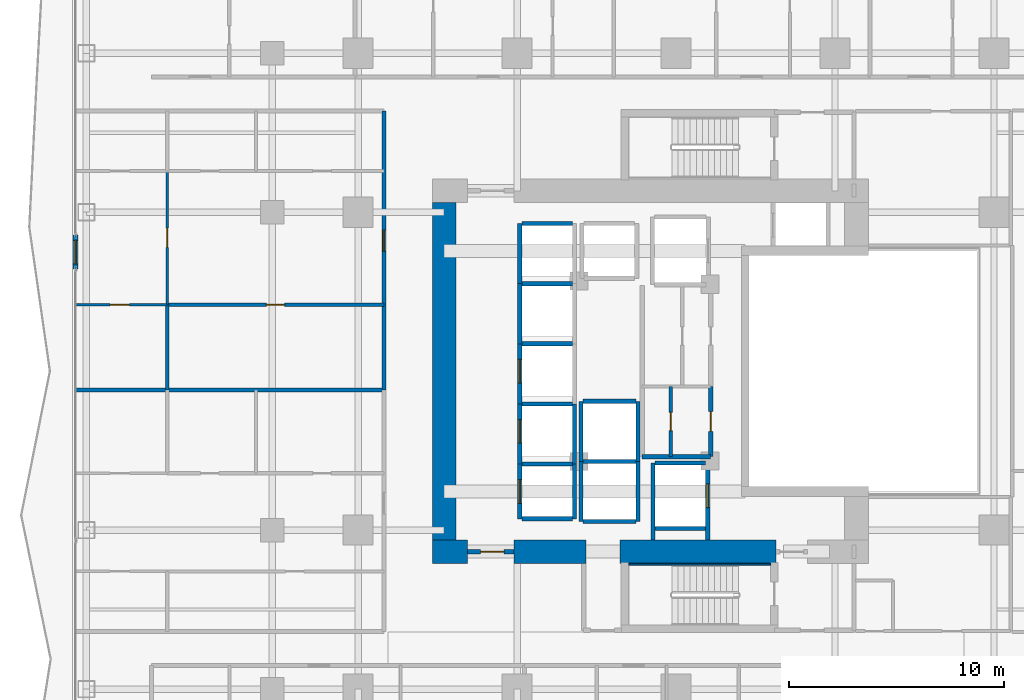
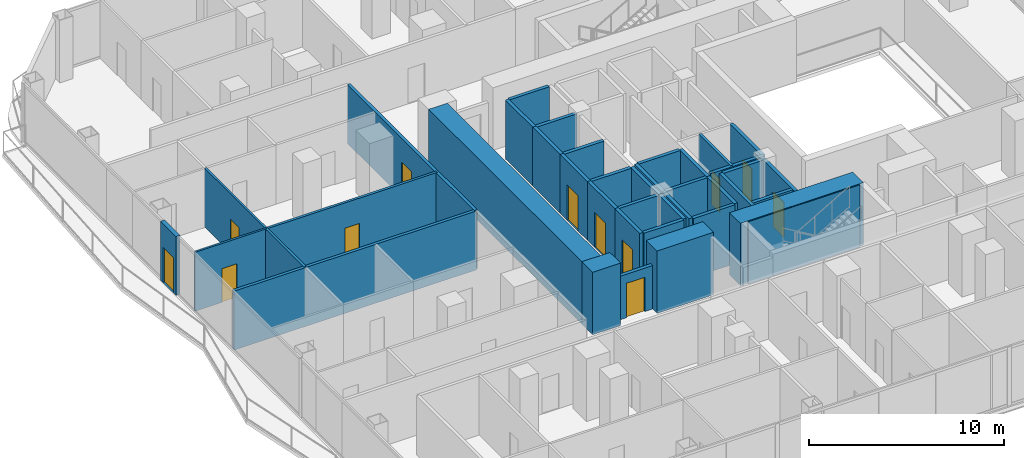
# One storey, part 20 of 29: 40 walls, 12 doors, 12 openings.
"""IFC4 building model written with IfcOpenShell, lengths in metres."""

from ifc_helpers import new_model, si_unit, direction, frame, frame_2d, origin, place, context, subcontext, project, spatial, rectangle, extrude, material, layer, layer_set, type_object, element, fill, save


model = new_model("IFC4")

# Units and contexts
model_context = context("Model", 3, precision=1e-05, world=origin(), true_north=direction((0.0, 1.0)))
body_context = subcontext(model_context, "Body", "Model", "MODEL_VIEW")
ifc_project = project(units=[si_unit("LENGTHUNIT", "METRE"), si_unit("AREAUNIT", "SQUARE_METRE"), si_unit("VOLUMEUNIT", "CUBIC_METRE"), si_unit("PLANEANGLEUNIT", "RADIAN"), si_unit("MASSUNIT", "GRAM", prefix="KILO")], contexts=[model_context])

# Site, building, storey
site_placement = place(None, origin())
site = spatial("IfcSite", under=ifc_project, at=site_placement, CompositionType="ELEMENT")
building_placement = place(site_placement, origin())
building = spatial("IfcBuilding", under=site, at=building_placement, Name="Khorvyn Point Tower", CompositionType="ELEMENT")
storey_placement = place(building_placement, frame((0.0, 0.0, 69.60009765625)))
storey = spatial("IfcBuildingStorey", under=building, at=storey_placement, Name="L18", CompositionType="ELEMENT", Elevation=69.60009765625)

# Wall, opening, door
ifc_material_1 = material(Name="Double acoustic gypsum on twin steel stud", Category="steel")
ifc_layer_1 = layer(ifc_material_1, 0.179931640625)
ifc_layer_set_1 = layer_set([ifc_layer_1], Name="Acoustic Double-Stud Apartment Demising Wall 180")
wall_type_1 = type_object("IfcWallType", Name="Acoustic Double-Stud Apartment Demising Wall 180", PredefinedType="PARTITIONING", material=ifc_layer_set_1)
wall_1_placement = place(storey_placement, frame((-13.60009765625, -0.873046875, 0.0), z_axis=(0.0, 0.0, 1.0), x_axis=(0.0, 1.0, 0.0)))
wall_1 = element("IfcWall", 1, at=wall_1_placement, inside=storey, type_object=wall_type_1, Name="Wall", PredefinedType="PARTITIONING", context=body_context, shape_type="SweptSolid", body=[
    extrude(rectangle(XDim=12.9931640625, YDim=0.179931640625, at=frame_2d((6.49658203125, 0.0))), origin(), (0.0, 0.0, 1.0), 3.679931640625),
])
opening_1_placement = place(wall_1_placement, frame((6.445556640625, 0.0, 0.0)))
opening_1 = element("IfcOpeningElement", 2, at=opening_1_placement, cuts=wall_1, Name="Opening ID-AP60", PredefinedType="OPENING", context=body_context, shape_type="SweptSolid", body=[
    extrude(rectangle(XDim=1.0, YDim=2.199951171875, at=frame_2d((0.5, 1.10009765625))), frame((0.0, 0.099853515625, 0.0), z_axis=(0.0, -1.0, 0.0), x_axis=(1.0, 0.0, 0.0)), (0.0, 0.0, 1.0), 0.199951171875),
])
ifc_material_2 = material(Name="Engineered hardwood fire-rated leaf", Category="wood")
door_type_1 = type_object("IfcDoorType", Name="Acoustic Solid-Core Timber Apartment Entrance Door 1000x2200", OperationType="NOTDEFINED", PredefinedType="DOOR", material=ifc_material_2)
door_1_placement = place(opening_1_placement, origin())
door_1 = element("IfcDoor", 3, at=door_1_placement, inside=storey, type_object=door_type_1, Name="Door", OperationType="SINGLE_SWING_RIGHT", OverallHeight=2.199951171875, OverallWidth=1.0, PredefinedType="DOOR", context=body_context, shape_type="SweptSolid", body=[
    extrude(rectangle(XDim=1.0, YDim=2.199951171875, at=frame_2d((0.5, 1.10009765625))), frame((0.0, 0.02490234375, 0.0), z_axis=(0.0, -1.0, 0.0), x_axis=(1.0, 0.0, 0.0)), (0.0, 0.0, 1.0), 0.050048828125),
])
fill(opening_1, door_1)

# Wall
wall_2_placement = place(storey_placement, frame((-27.929931640625, -0.873046875, 0.0), z_axis=(0.0, 0.0, 1.0), x_axis=(1.0, 0.0, 0.0)))
element("IfcWall", 4, at=wall_2_placement, inside=storey, type_object=wall_type_1, Name="Wall", PredefinedType="PARTITIONING", context=body_context, shape_type="SweptSolid", body=[
    extrude(rectangle(XDim=14.329833984375, YDim=0.179931640625, at=frame_2d((7.1650390625, 0.0))), origin(), (0.0, 0.0, 1.0), 3.679931640625),
])

# Wall, opening, door
ifc_material_3 = material(Name="Pale anodised aluminium rainscreen on steel stud", Category="steel")
ifc_layer_2 = layer(ifc_material_3, 0.239990234375)
ifc_layer_set_2 = layer_set([ifc_layer_2], Name="Anodised Aluminium Insulated Corner Spandrel Wall 240")
wall_type_2 = type_object("IfcWallType", Name="Anodised Aluminium Insulated Corner Spandrel Wall 240", PredefinedType="SOLIDWALL", material=ifc_layer_set_2)
wall_3_placement = place(storey_placement, frame((-27.949951171875, 4.7490234375, 0.0), z_axis=(0.0, 0.0, 1.0), x_axis=(0.0, 1.0, 0.0)))
wall_3 = element("IfcWall", 5, at=wall_3_placement, inside=storey, type_object=wall_type_2, Name="L18 West Outdoor Threshold Wall", PredefinedType="SOLIDWALL", context=body_context, shape_type="SweptSolid", body=[
    extrude(rectangle(XDim=1.580078125, YDim=0.239990234375, at=frame_2d((0.7900390625, 0.0))), origin(), (0.0, 0.0, 1.0), 3.679931640625),
])
opening_2_placement = place(wall_3_placement, frame((0.239990234375, 0.0, 0.0)))
opening_2 = element("IfcOpeningElement", 6, at=opening_2_placement, cuts=wall_3, Name="Opening BD-1122", PredefinedType="OPENING", context=body_context, shape_type="SweptSolid", body=[
    extrude(rectangle(XDim=1.10009765625, YDim=2.199951171875, at=frame_2d((0.550048828125, 1.10009765625))), frame((0.0, 0.1298828125, 0.0), z_axis=(0.0, -1.0, 0.0), x_axis=(1.0, 0.0, 0.0)), (0.0, 0.0, 1.0), 0.260009765625),
])
ifc_material_4 = material(Name="Anodised aluminium 6063-T6 and laminated Low-E glass", Category="aluminium")
door_type_2 = type_object("IfcDoorType", Name="Glazed Balcony and Terrace Threshold Door 1100x2200", OperationType="NOTDEFINED", PredefinedType="DOOR", material=ifc_material_4)
door_2_placement = place(opening_2_placement, origin())
door_2 = element("IfcDoor", 7, at=door_2_placement, inside=storey, type_object=door_type_2, Name="L18 West Glazed Balcony Outdoor Door", OperationType="SINGLE_SWING_RIGHT", OverallHeight=2.199951171875, OverallWidth=1.10009765625, PredefinedType="DOOR", context=body_context, shape_type="SweptSolid", body=[
    extrude(rectangle(XDim=1.10009765625, YDim=2.199951171875, at=frame_2d((0.550048828125, 1.10009765625))), frame((0.0, 0.02490234375, 0.0), z_axis=(0.0, -1.0, 0.0), x_axis=(1.0, 0.0, 0.0)), (0.0, 0.0, 1.0), 0.050048828125),
])
fill(opening_2, door_2)

ifc_material_5 = material(Name="Concrete C40/50", Category="concrete")
ifc_layer_3 = layer(ifc_material_5, 0.199951171875)
ifc_layer_set_3 = layer_set([ifc_layer_3], Name="Concrete C40/50 Fire-Lobby Compartment Wall 200")
wall_type_3 = type_object("IfcWallType", Name="Concrete C40/50 Fire-Lobby Compartment Wall 200", PredefinedType="SOLIDWALL", material=ifc_layer_set_3)
wall_4_placement = place(storey_placement, frame((-9.699951171875, -8.39990234375, 0.0), z_axis=(0.0, 0.0, 1.0), x_axis=(1.0, 0.0, 0.0)))
wall_4 = element("IfcWall", 8, at=wall_4_placement, inside=storey, type_object=wall_type_3, Name="Wall", PredefinedType="SOLIDWALL", context=body_context, shape_type="SweptSolid", body=[
    extrude(rectangle(XDim=2.14990234375, YDim=0.199951171875, at=frame_2d((1.074951171875, 0.0))), origin(), (0.0, 0.0, 1.0), 2.719970703125),
])
opening_3_placement = place(wall_4_placement, frame((0.597900390625, 0.0, 0.0)))
opening_3 = element("IfcOpeningElement", 9, at=opening_3_placement, cuts=wall_4, Name="Opening ID-FL90", PredefinedType="OPENING", context=body_context, shape_type="SweptSolid", body=[
    extrude(rectangle(XDim=1.10009765625, YDim=2.14990234375, at=frame_2d((0.550048828125, 1.074951171875))), frame((0.0, 0.10986328125, 0.0), z_axis=(0.0, -1.0, 0.0), x_axis=(1.0, 0.0, 0.0)), (0.0, 0.0, 1.0), 0.219970703125),
])
ifc_material_6 = material(Name="Galvanised powder-coated steel", Category="steel")
door_type_3 = type_object("IfcDoorType", Name="Fire-Rated Steel Lobby and Stair Door 1100x2150", OperationType="NOTDEFINED", PredefinedType="DOOR", material=ifc_material_6)
door_3_placement = place(opening_3_placement, origin())
door_3 = element("IfcDoor", 10, at=door_3_placement, inside=storey, type_object=door_type_3, Name="Door", OperationType="SINGLE_SWING_RIGHT", OverallHeight=2.14990234375, OverallWidth=1.10009765625, PredefinedType="DOOR", context=body_context, shape_type="SweptSolid", body=[
    extrude(rectangle(XDim=1.10009765625, YDim=2.14990234375, at=frame_2d((0.550048828125, 1.074951171875))), frame((0.0, 0.02490234375, 0.0), z_axis=(0.0, -1.0, 0.0), x_axis=(1.0, 0.0, 0.0)), (0.0, 0.0, 1.0), 0.050048828125),
])
fill(opening_3, door_3)

wall_5_placement = place(storey_placement, frame((1.610107421875, -3.97998046875, 0.0), z_axis=(0.0, 0.0, 1.0), x_axis=(0.0, 1.0, 0.0)))
wall_5 = element("IfcWall", 11, at=wall_5_placement, inside=storey, type_object=wall_type_3, Name="Wall", PredefinedType="SOLIDWALL", context=body_context, shape_type="SweptSolid", body=[
    extrude(rectangle(XDim=3.27392578125, YDim=0.199951171875, at=frame_2d((1.636962890625, 0.0))), origin(), (0.0, 0.0, 1.0), 3.679931640625),
])
opening_4_placement = place(wall_5_placement, frame((1.177001953125, 0.0, 0.0)))
opening_4 = element("IfcOpeningElement", 12, at=opening_4_placement, cuts=wall_5, Name="Opening ID-RS60", PredefinedType="OPENING", context=body_context, shape_type="SweptSolid", body=[
    extrude(rectangle(XDim=0.919921875, YDim=2.10009765625, at=frame_2d((0.4599609375, 1.050048828125))), frame((0.0, 0.10986328125, 0.0), z_axis=(0.0, -1.0, 0.0), x_axis=(1.0, 0.0, 0.0)), (0.0, 0.0, 1.0), 0.219970703125),
])
door_type_4 = type_object("IfcDoorType", Name="Fire-Rated Riser and Store Steel Door 920x2100", OperationType="NOTDEFINED", PredefinedType="DOOR", material=ifc_material_6)
door_4_placement = place(opening_4_placement, origin())
door_4 = element("IfcDoor", 13, at=door_4_placement, inside=storey, type_object=door_type_4, Name="Door", OperationType="SINGLE_SWING_LEFT", OverallHeight=2.10009765625, OverallWidth=0.919921875, PredefinedType="DOOR", context=body_context, shape_type="SweptSolid", body=[
    extrude(rectangle(XDim=0.919921875, YDim=2.10009765625, at=frame_2d((0.4599609375, 1.050048828125))), frame((0.0, 0.02490234375, 0.0), z_axis=(0.0, -1.0, 0.0), x_axis=(1.0, 0.0, 0.0)), (0.0, 0.0, 1.0), 0.050048828125),
])
fill(opening_4, door_4)

# Walls
wall_6_placement = place(storey_placement, frame((-1.580078125, -3.97998046875, 0.0), z_axis=(0.0, 0.0, 1.0), x_axis=(1.0, 0.0, 0.0)))
element("IfcWall", 14, at=wall_6_placement, inside=storey, type_object=wall_type_3, Name="Wall", PredefinedType="SOLIDWALL", context=body_context, shape_type="SweptSolid", body=[
    extrude(rectangle(XDim=3.190185546875, YDim=0.199951171875, at=frame_2d((1.59521484375, 0.0))), origin(), (0.0, 0.0, 1.0), 3.679931640625),
])
ifc_layer_4 = layer(ifc_material_5, 0.25)
ifc_layer_set_4 = layer_set([ifc_layer_4], Name="Concrete C40/50 Stair Inner Cheek Structural Wall 250")
wall_type_4 = type_object("IfcWallType", Name="Concrete C40/50 Stair Inner Cheek Structural Wall 250", PredefinedType="SHEAR", material=ifc_layer_set_4)
wall_7_placement = place(storey_placement, frame((-2.199951171875, -8.987548828125, 0.0), z_axis=(0.0, 0.0, 1.0), x_axis=(1.0, 0.0, 0.0)))
element("IfcWall", 15, at=wall_7_placement, inside=storey, type_object=wall_type_4, Name="Wall", PredefinedType="SHEAR", context=body_context, shape_type="SweptSolid", body=[
    extrude(rectangle(XDim=6.599853515625, YDim=0.074951171875, at=frame_2d((3.2998046875, 0.0))), origin(), (0.0, 0.0, 1.0), 3.89990234375),
])

# Wall, opening, door
ifc_layer_5 = layer(ifc_material_5, 0.199951171875)
ifc_layer_set_5 = layer_set([ifc_layer_5], Name="Concrete C40/50 Structural Hoistway and Stair Shaft Wall 200")
wall_type_5 = type_object("IfcWallType", Name="Concrete C40/50 Structural Hoistway and Stair Shaft Wall 200", PredefinedType="SHEAR", material=ifc_layer_set_5)
wall_8_placement = place(storey_placement, frame((-7.27490234375, -6.875, 0.0), z_axis=(0.0, 0.0, 1.0), x_axis=(0.0, 1.0, 0.0)))
wall_8 = element("IfcWall", 16, at=wall_8_placement, inside=storey, type_object=wall_type_5, Name="Wall", PredefinedType="SHEAR", context=body_context, shape_type="SweptSolid", body=[
    extrude(rectangle(XDim=2.550048828125, YDim=0.199951171875, at=frame_2d((1.27490234375, 0.0))), origin(), (0.0, 0.0, 1.0), 3.679931640625),
])
opening_5_placement = place(wall_8_placement, frame((0.72509765625, 0.0, 0.0)))
opening_5 = element("IfcOpeningElement", 17, at=opening_5_placement, cuts=wall_8, Name="Opening LD-1122", PredefinedType="OPENING", context=body_context, shape_type="SweptSolid", body=[
    extrude(rectangle(XDim=1.10009765625, YDim=2.199951171875, at=frame_2d((0.550048828125, 1.10009765625))), frame((0.0, 0.10986328125, 0.0), z_axis=(0.0, -1.0, 0.0), x_axis=(1.0, 0.0, 0.0)), (0.0, 0.0, 1.0), 0.219970703125),
])
ifc_material_7 = material(Name="Stainless steel 1.4301", Category="steel")
door_type_5 = type_object("IfcDoorType", Name="Stainless Steel Automatic Sliding Lift Landing Door 1100x2200", OperationType="SLIDING_TO_LEFT", PredefinedType="DOOR", material=ifc_material_7)
door_5_placement = place(opening_5_placement, origin())
door_5 = element("IfcDoor", 18, at=door_5_placement, inside=storey, type_object=door_type_5, Name="L18 RL-01 Sliding Lift Landing Door", OperationType="SLIDING_TO_LEFT", OverallHeight=2.199951171875, OverallWidth=1.10009765625, PredefinedType="DOOR", context=body_context, shape_type="SweptSolid", body=[
    extrude(rectangle(XDim=1.10009765625, YDim=2.199951171875, at=frame_2d((0.550048828125, 1.10009765625))), frame((0.0, 0.02490234375, 0.0), z_axis=(0.0, -1.0, 0.0), x_axis=(1.0, 0.0, 0.0)), (0.0, 0.0, 1.0), 0.050048828125),
])
fill(opening_5, door_5)

# Walls
wall_9_placement = place(storey_placement, frame((-4.72509765625, -6.875, 0.0), z_axis=(0.0, 0.0, 1.0), x_axis=(0.0, 1.0, 0.0)))
element("IfcWall", 19, at=wall_9_placement, inside=storey, type_object=wall_type_5, Name="Wall", PredefinedType="SHEAR", context=body_context, shape_type="SweptSolid", body=[
    extrude(rectangle(XDim=2.550048828125, YDim=0.199951171875, at=frame_2d((1.27490234375, 0.0))), origin(), (0.0, 0.0, 1.0), 3.679931640625),
])
for number, where, z_axis, x_axis, name in (
    (20, (-7.175048828125, -6.875, 0.0), (0.0, 0.0, 1.0), (1.0, 0.0, 0.0), "Wall"),
    (21, (-7.175048828125, -4.324951171875, 0.0), (0.0, 0.0, 1.0), (1.0, 0.0, 0.0), "Wall"),
):
    element("IfcWall", number, at=place(storey_placement, frame(where, z_axis=z_axis, x_axis=x_axis)), inside=storey, type_object=wall_type_5, Name=name, PredefinedType="SHEAR", context=body_context, shape_type="SweptSolid", body=[
        extrude(rectangle(XDim=2.35009765625, YDim=0.199951171875, at=frame_2d((1.175048828125, 0.0))), origin(), (0.0, 0.0, 1.0), 3.679931640625),
    ])

# Wall, opening, door
wall_10_placement = place(storey_placement, frame((-7.27490234375, -4.324951171875, 0.0), z_axis=(0.0, 0.0, 1.0), x_axis=(0.0, 1.0, 0.0)))
wall_10 = element("IfcWall", 22, at=wall_10_placement, inside=storey, type_object=wall_type_5, Name="Wall", PredefinedType="SHEAR", context=body_context, shape_type="SweptSolid", body=[
    extrude(rectangle(XDim=2.800048828125, YDim=0.199951171875, at=frame_2d((1.39990234375, 0.0))), origin(), (0.0, 0.0, 1.0), 3.679931640625),
])
opening_6_placement = place(wall_10_placement, frame((0.97509765625, 0.0, 0.0)))
opening_6 = element("IfcOpeningElement", 23, at=opening_6_placement, cuts=wall_10, Name="Opening LD-1122", PredefinedType="OPENING", context=body_context, shape_type="SweptSolid", body=[
    extrude(rectangle(XDim=1.10009765625, YDim=2.199951171875, at=frame_2d((0.550048828125, 1.10009765625))), frame((0.0, 0.10986328125, 0.0), z_axis=(0.0, -1.0, 0.0), x_axis=(1.0, 0.0, 0.0)), (0.0, 0.0, 1.0), 0.219970703125),
])
door_6_placement = place(opening_6_placement, origin())
door_6 = element("IfcDoor", 24, at=door_6_placement, inside=storey, type_object=door_type_5, Name="L18 RL-02 Sliding Lift Landing Door", OperationType="SLIDING_TO_LEFT", OverallHeight=2.199951171875, OverallWidth=1.10009765625, PredefinedType="DOOR", context=body_context, shape_type="SweptSolid", body=[
    extrude(rectangle(XDim=1.10009765625, YDim=2.199951171875, at=frame_2d((0.550048828125, 1.10009765625))), frame((0.0, 0.02490234375, 0.0), z_axis=(0.0, -1.0, 0.0), x_axis=(1.0, 0.0, 0.0)), (0.0, 0.0, 1.0), 0.050048828125),
])
fill(opening_6, door_6)

# Walls
wall_11_placement = place(storey_placement, frame((-4.72509765625, -4.324951171875, 0.0), z_axis=(0.0, 0.0, 1.0), x_axis=(0.0, 1.0, 0.0)))
element("IfcWall", 25, at=wall_11_placement, inside=storey, type_object=wall_type_5, Name="Wall", PredefinedType="SHEAR", context=body_context, shape_type="SweptSolid", body=[
    extrude(rectangle(XDim=2.800048828125, YDim=0.199951171875, at=frame_2d((1.39990234375, 0.0))), origin(), (0.0, 0.0, 1.0), 3.679931640625),
])
wall_12_placement = place(storey_placement, frame((-7.175048828125, -1.52490234375, 0.0), z_axis=(0.0, 0.0, 1.0), x_axis=(1.0, 0.0, 0.0)))
element("IfcWall", 26, at=wall_12_placement, inside=storey, type_object=wall_type_5, Name="Wall", PredefinedType="SHEAR", context=body_context, shape_type="SweptSolid", body=[
    extrude(rectangle(XDim=2.35009765625, YDim=0.199951171875, at=frame_2d((1.175048828125, 0.0))), origin(), (0.0, 0.0, 1.0), 3.679931640625),
])

# Wall, opening, door
wall_13_placement = place(storey_placement, frame((-7.27490234375, -1.52490234375, 0.0), z_axis=(0.0, 0.0, 1.0), x_axis=(0.0, 1.0, 0.0)))
wall_13 = element("IfcWall", 27, at=wall_13_placement, inside=storey, type_object=wall_type_5, Name="Wall", PredefinedType="SHEAR", context=body_context, shape_type="SweptSolid", body=[
    extrude(rectangle(XDim=2.7998046875, YDim=0.199951171875, at=frame_2d((1.39990234375, 0.0))), origin(), (0.0, 0.0, 1.0), 3.679931640625),
])
opening_7_placement = place(wall_13_placement, frame((0.97509765625, 0.0, 0.0)))
opening_7 = element("IfcOpeningElement", 28, at=opening_7_placement, cuts=wall_13, Name="Opening LD-1122", PredefinedType="OPENING", context=body_context, shape_type="SweptSolid", body=[
    extrude(rectangle(XDim=1.10009765625, YDim=2.199951171875, at=frame_2d((0.550048828125, 1.10009765625))), frame((0.0, 0.10986328125, 0.0), z_axis=(0.0, -1.0, 0.0), x_axis=(1.0, 0.0, 0.0)), (0.0, 0.0, 1.0), 0.219970703125),
])
door_7_placement = place(opening_7_placement, origin())
door_7 = element("IfcDoor", 29, at=door_7_placement, inside=storey, type_object=door_type_5, Name="L18 RL-03 Sliding Lift Landing Door", OperationType="SLIDING_TO_LEFT", OverallHeight=2.199951171875, OverallWidth=1.10009765625, PredefinedType="DOOR", context=body_context, shape_type="SweptSolid", body=[
    extrude(rectangle(XDim=1.10009765625, YDim=2.199951171875, at=frame_2d((0.550048828125, 1.10009765625))), frame((0.0, 0.02490234375, 0.0), z_axis=(0.0, -1.0, 0.0), x_axis=(1.0, 0.0, 0.0)), (0.0, 0.0, 1.0), 0.050048828125),
])
fill(opening_7, door_7)

# Walls
wall_14_placement = place(storey_placement, frame((-7.175048828125, 1.27490234375, 0.0), z_axis=(0.0, 0.0, 1.0), x_axis=(1.0, 0.0, 0.0)))
element("IfcWall", 30, at=wall_14_placement, inside=storey, type_object=wall_type_5, Name="Wall", PredefinedType="SHEAR", context=body_context, shape_type="SweptSolid", body=[
    extrude(rectangle(XDim=2.35009765625, YDim=0.199951171875, at=frame_2d((1.175048828125, 0.0))), origin(), (0.0, 0.0, 1.0), 3.679931640625),
])
wall_15_placement = place(storey_placement, frame((-7.27490234375, 1.27490234375, 0.0), z_axis=(0.0, 0.0, 1.0), x_axis=(0.0, 1.0, 0.0)))
element("IfcWall", 31, at=wall_15_placement, inside=storey, type_object=wall_type_5, Name="Wall", PredefinedType="SHEAR", context=body_context, shape_type="SweptSolid", body=[
    extrude(rectangle(XDim=2.800048828125, YDim=0.199951171875, at=frame_2d((1.39990234375, 0.0))), origin(), (0.0, 0.0, 1.0), 3.679931640625),
])
wall_16_placement = place(storey_placement, frame((-7.175048828125, 4.074951171875, 0.0), z_axis=(0.0, 0.0, 1.0), x_axis=(1.0, 0.0, 0.0)))
element("IfcWall", 32, at=wall_16_placement, inside=storey, type_object=wall_type_5, Name="Wall", PredefinedType="SHEAR", context=body_context, shape_type="SweptSolid", body=[
    extrude(rectangle(XDim=2.35009765625, YDim=0.199951171875, at=frame_2d((1.175048828125, 0.0))), origin(), (0.0, 0.0, 1.0), 3.679931640625),
])
wall_17_placement = place(storey_placement, frame((-7.27490234375, 4.074951171875, 0.0), z_axis=(0.0, 0.0, 1.0), x_axis=(0.0, 1.0, 0.0)))
element("IfcWall", 33, at=wall_17_placement, inside=storey, type_object=wall_type_5, Name="Wall", PredefinedType="SHEAR", context=body_context, shape_type="SweptSolid", body=[
    extrude(rectangle(XDim=2.800048828125, YDim=0.199951171875, at=frame_2d((1.39990234375, 0.0))), origin(), (0.0, 0.0, 1.0), 3.679931640625),
])
wall_18_placement = place(storey_placement, frame((-7.175048828125, 6.875, 0.0), z_axis=(0.0, 0.0, 1.0), x_axis=(1.0, 0.0, 0.0)))
element("IfcWall", 34, at=wall_18_placement, inside=storey, type_object=wall_type_5, Name="Wall", PredefinedType="SHEAR", context=body_context, shape_type="SweptSolid", body=[
    extrude(rectangle(XDim=2.35009765625, YDim=0.199951171875, at=frame_2d((1.175048828125, 0.0))), origin(), (0.0, 0.0, 1.0), 3.679931640625),
])
for number, where, z_axis, x_axis, name in (
    (35, (-4.425048828125, -7.0, 0.0), (0.0, 0.0, 1.0), (0.0, 1.0, 0.0), "Wall"),
    (36, (-1.77490234375, -7.0, 0.0), (0.0, 0.0, 1.0), (0.0, 1.0, 0.0), "Wall"),
):
    element("IfcWall", number, at=place(storey_placement, frame(where, z_axis=z_axis, x_axis=x_axis)), inside=storey, type_object=wall_type_5, Name=name, PredefinedType="SHEAR", context=body_context, shape_type="SweptSolid", body=[
        extrude(rectangle(XDim=2.800048828125, YDim=0.199951171875, at=frame_2d((1.39990234375, 0.0))), origin(), (0.0, 0.0, 1.0), 3.679931640625),
    ])
for number, where, z_axis, x_axis, name in (
    (37, (-4.324951171875, -7.0, 0.0), (0.0, 0.0, 1.0), (1.0, 0.0, 0.0), "Wall"),
    (38, (-4.324951171875, -4.199951171875, 0.0), (0.0, 0.0, 1.0), (1.0, 0.0, 0.0), "Wall"),
):
    element("IfcWall", number, at=place(storey_placement, frame(where, z_axis=z_axis, x_axis=x_axis)), inside=storey, type_object=wall_type_5, Name=name, PredefinedType="SHEAR", context=body_context, shape_type="SweptSolid", body=[
        extrude(rectangle(XDim=2.449951171875, YDim=0.199951171875, at=frame_2d((1.22509765625, 0.0))), origin(), (0.0, 0.0, 1.0), 3.679931640625),
    ])
for number, where, z_axis, x_axis, name in (
    (39, (-4.425048828125, -4.199951171875, 0.0), (0.0, 0.0, 1.0), (0.0, 1.0, 0.0), "Wall"),
    (40, (-1.77490234375, -4.199951171875, 0.0), (0.0, 0.0, 1.0), (0.0, 1.0, 0.0), "Wall"),
):
    element("IfcWall", number, at=place(storey_placement, frame(where, z_axis=z_axis, x_axis=x_axis)), inside=storey, type_object=wall_type_5, Name=name, PredefinedType="SHEAR", context=body_context, shape_type="SweptSolid", body=[
        extrude(rectangle(XDim=2.800048828125, YDim=0.199951171875, at=frame_2d((1.39990234375, 0.0))), origin(), (0.0, 0.0, 1.0), 3.679931640625),
    ])
wall_19_placement = place(storey_placement, frame((-4.324951171875, -1.39990234375, 0.0), z_axis=(0.0, 0.0, 1.0), x_axis=(1.0, 0.0, 0.0)))
element("IfcWall", 41, at=wall_19_placement, inside=storey, type_object=wall_type_5, Name="Wall", PredefinedType="SHEAR", context=body_context, shape_type="SweptSolid", body=[
    extrude(rectangle(XDim=2.449951171875, YDim=0.199951171875, at=frame_2d((1.22509765625, 0.0))), origin(), (0.0, 0.0, 1.0), 3.679931640625),
])
wall_20_placement = place(storey_placement, frame((-1.074951171875, -7.85009765625, 0.0), z_axis=(0.0, 0.0, 1.0), x_axis=(0.0, 1.0, 0.0)))
element("IfcWall", 42, at=wall_20_placement, inside=storey, type_object=wall_type_5, Name="Wall", PredefinedType="SHEAR", context=body_context, shape_type="SweptSolid", body=[
    extrude(rectangle(XDim=3.5751953125, YDim=0.199951171875, at=frame_2d((1.78759765625, 0.0))), origin(), (0.0, 0.0, 1.0), 3.679931640625),
])

# Wall, opening, door
wall_21_placement = place(storey_placement, frame((1.47509765625, -7.85009765625, 0.0), z_axis=(0.0, 0.0, 1.0), x_axis=(0.0, 1.0, 0.0)))
wall_21 = element("IfcWall", 43, at=wall_21_placement, inside=storey, type_object=wall_type_5, Name="Wall", PredefinedType="SHEAR", context=body_context, shape_type="SweptSolid", body=[
    extrude(rectangle(XDim=3.5751953125, YDim=0.199951171875, at=frame_2d((1.78759765625, 0.0))), origin(), (0.0, 0.0, 1.0), 3.679931640625),
])
opening_8_placement = place(wall_21_placement, frame((1.5, 0.0, 0.0)))
opening_8 = element("IfcOpeningElement", 44, at=opening_8_placement, cuts=wall_21, Name="Opening LD-1122", PredefinedType="OPENING", context=body_context, shape_type="SweptSolid", body=[
    extrude(rectangle(XDim=1.10009765625, YDim=2.199951171875, at=frame_2d((0.550048828125, 1.10009765625))), frame((0.0, 0.10986328125, 0.0), z_axis=(0.0, -1.0, 0.0), x_axis=(1.0, 0.0, 0.0)), (0.0, 0.0, 1.0), 0.219970703125),
])
door_8_placement = place(opening_8_placement, origin())
door_8 = element("IfcDoor", 45, at=door_8_placement, inside=storey, type_object=door_type_5, Name="L18 FF-01 Sliding Lift Landing Door", OperationType="SLIDING_TO_LEFT", OverallHeight=2.199951171875, OverallWidth=1.10009765625, PredefinedType="DOOR", context=body_context, shape_type="SweptSolid", body=[
    extrude(rectangle(XDim=1.10009765625, YDim=2.199951171875, at=frame_2d((0.550048828125, 1.10009765625))), frame((0.0, 0.02490234375, 0.0), z_axis=(0.0, -1.0, 0.0), x_axis=(1.0, 0.0, 0.0)), (0.0, 0.0, 1.0), 0.050048828125),
])
fill(opening_8, door_8)

# Walls
for number, where, z_axis, x_axis, name in (
    (46, (-0.97509765625, -7.324951171875, 0.0), (0.0, 0.0, 1.0), (1.0, 0.0, 0.0), "Wall"),
    (47, (-0.97509765625, -4.27490234375, 0.0), (0.0, 0.0, 1.0), (1.0, 0.0, 0.0), "Wall"),
):
    element("IfcWall", number, at=place(storey_placement, frame(where, z_axis=z_axis, x_axis=x_axis)), inside=storey, type_object=wall_type_5, Name=name, PredefinedType="SHEAR", context=body_context, shape_type="SweptSolid", body=[
        extrude(rectangle(XDim=2.35009765625, YDim=0.199951171875, at=frame_2d((1.175048828125, 0.0))), origin(), (0.0, 0.0, 1.0), 3.679931640625),
    ])
ifc_material_8 = material(Name="Concrete C50/60", Category="concrete")
ifc_layer_6 = layer(ifc_material_8, 1.10009765625)
ifc_layer_set_6 = layer_set([ifc_layer_6], Name="Concrete C50/60 Core Shear Wall 1100")
wall_type_6 = type_object("IfcWallType", Name="Concrete C50/60 Core Shear Wall 1100", PredefinedType="SHEAR", material=ifc_layer_set_6)
wall_22_placement = place(storey_placement, frame((-11.35009765625, -8.39990234375, 0.0), z_axis=(0.0, 0.0, 1.0), x_axis=(1.0, 0.0, 0.0)))
element("IfcWall", 48, at=wall_22_placement, inside=storey, type_object=wall_type_6, Name="Wall", PredefinedType="SHEAR", context=body_context, shape_type="SweptSolid", body=[
    extrude(rectangle(XDim=1.650146484375, YDim=1.10009765625, at=frame_2d((0.8251953125, 0.0))), origin(), (0.0, 0.0, 1.0), 3.89990234375),
])
wall_23_placement = place(storey_placement, frame((-7.550048828125, -8.39990234375, 0.0), z_axis=(0.0, 0.0, 1.0), x_axis=(1.0, 0.0, 0.0)))
element("IfcWall", 49, at=wall_23_placement, inside=storey, type_object=wall_type_6, Name="Wall", PredefinedType="SHEAR", context=body_context, shape_type="SweptSolid", body=[
    extrude(rectangle(XDim=3.35009765625, YDim=1.10009765625, at=frame_2d((1.675048828125, 0.0))), origin(), (0.0, 0.0, 1.0), 3.89990234375),
])
wall_24_placement = place(storey_placement, frame((-2.6201171875, -8.39990234375, 0.0), z_axis=(0.0, 0.0, 1.0), x_axis=(1.0, 0.0, 0.0)))
element("IfcWall", 50, at=wall_24_placement, inside=storey, type_object=wall_type_6, Name="Wall", PredefinedType="SHEAR", context=body_context, shape_type="SweptSolid", body=[
    extrude(rectangle(XDim=7.27001953125, YDim=1.10009765625, at=frame_2d((3.635009765625, 0.0))), origin(), (0.0, 0.0, 1.0), 3.89990234375),
])
wall_25_placement = place(storey_placement, frame((-10.800048828125, -7.85009765625, 0.0), z_axis=(0.0, 0.0, 1.0), x_axis=(0.0, 1.0, 0.0)))
element("IfcWall", 51, at=wall_25_placement, inside=storey, type_object=wall_type_6, Name="Wall", PredefinedType="SHEAR", context=body_context, shape_type="SweptSolid", body=[
    extrude(rectangle(XDim=15.7001953125, YDim=1.10009765625, at=frame_2d((7.85009765625, 0.0))), origin(), (0.0, 0.0, 1.0), 3.89990234375),
])

# Wall, opening, door
ifc_material_9 = material(Name="Gypsum plasterboard on steel stud", Category="steel")
ifc_layer_7 = layer(ifc_material_9, 0.1201171875)
ifc_layer_set_7 = layer_set([ifc_layer_7], Name="Gypsum Acoustic Stud Room Partition Wall 120")
wall_type_7 = type_object("IfcWallType", Name="Gypsum Acoustic Stud Room Partition Wall 120", PredefinedType="PARTITIONING", material=ifc_layer_set_7)
wall_26_placement = place(storey_placement, frame((-23.68994140625, 3.096923828125, 0.0), z_axis=(0.0, 0.0, 1.0), x_axis=(0.0, 1.0, 0.0)))
wall_26 = element("IfcWall", 52, at=wall_26_placement, inside=storey, type_object=wall_type_7, Name="Wall", PredefinedType="PARTITIONING", context=body_context, shape_type="SweptSolid", body=[
    extrude(rectangle(XDim=6.22314453125, YDim=0.1201171875, at=frame_2d((3.111572265625, 0.0))), origin(), (0.0, 0.0, 1.0), 3.679931640625),
])
opening_9_placement = place(wall_26_placement, frame((2.66162109375, 0.0, 0.0)))
opening_9 = element("IfcOpeningElement", 53, at=opening_9_placement, cuts=wall_26, Name="Opening ID-RM90", PredefinedType="OPENING", context=body_context, shape_type="SweptSolid", body=[
    extrude(rectangle(XDim=0.89990234375, YDim=2.10009765625, at=frame_2d((0.449951171875, 1.050048828125))), frame((0.0, 0.070068359375, 0.0), z_axis=(0.0, -1.0, 0.0), x_axis=(1.0, 0.0, 0.0)), (0.0, 0.0, 1.0), 0.14013671875),
])
ifc_material_10 = material(Name="Engineered oak veneer timber", Category="wood")
door_type_6 = type_object("IfcDoorType", Name="Flush Engineered Timber Room Door 900x2100", OperationType="NOTDEFINED", PredefinedType="DOOR", material=ifc_material_10)
door_9_placement = place(opening_9_placement, origin())
door_9 = element("IfcDoor", 54, at=door_9_placement, inside=storey, type_object=door_type_6, Name="Door", OperationType="SINGLE_SWING_LEFT", OverallHeight=2.10009765625, OverallWidth=0.89990234375, PredefinedType="DOOR", context=body_context, shape_type="SweptSolid", body=[
    extrude(rectangle(XDim=0.89990234375, YDim=2.10009765625, at=frame_2d((0.449951171875, 1.050048828125))), frame((0.0, 0.02490234375, 0.0), z_axis=(0.0, -1.0, 0.0), x_axis=(1.0, 0.0, 0.0)), (0.0, 0.0, 1.0), 0.050048828125),
])
fill(opening_9, door_9)

wall_27_placement = place(storey_placement, frame((-27.929931640625, 3.096923828125, 0.0), z_axis=(0.0, 0.0, 1.0), x_axis=(1.0, 0.0, 0.0)))
wall_27 = element("IfcWall", 55, at=wall_27_placement, inside=storey, type_object=wall_type_7, Name="Wall", PredefinedType="PARTITIONING", context=body_context, shape_type="SweptSolid", body=[
    extrude(rectangle(XDim=4.239990234375, YDim=0.1201171875, at=frame_2d((2.1201171875, 0.0))), origin(), (0.0, 0.0, 1.0), 3.679931640625),
])
opening_10_placement = place(wall_27_placement, frame((1.581298828125, 0.0, 0.0)))
opening_10 = element("IfcOpeningElement", 56, at=opening_10_placement, cuts=wall_27, Name="Opening ID-RM90", PredefinedType="OPENING", context=body_context, shape_type="SweptSolid", body=[
    extrude(rectangle(XDim=0.89990234375, YDim=2.10009765625, at=frame_2d((0.449951171875, 1.050048828125))), frame((0.0, 0.070068359375, 0.0), z_axis=(0.0, -1.0, 0.0), x_axis=(1.0, 0.0, 0.0)), (0.0, 0.0, 1.0), 0.14013671875),
])
door_10_placement = place(opening_10_placement, origin())
door_10 = element("IfcDoor", 57, at=door_10_placement, inside=storey, type_object=door_type_6, Name="Door", OperationType="SINGLE_SWING_LEFT", OverallHeight=2.10009765625, OverallWidth=0.89990234375, PredefinedType="DOOR", context=body_context, shape_type="SweptSolid", body=[
    extrude(rectangle(XDim=0.89990234375, YDim=2.10009765625, at=frame_2d((0.449951171875, 1.050048828125))), frame((0.0, 0.02490234375, 0.0), z_axis=(0.0, -1.0, 0.0), x_axis=(1.0, 0.0, 0.0)), (0.0, 0.0, 1.0), 0.050048828125),
])
fill(opening_10, door_10)

ifc_material_11 = material(Name="Moisture-resistant gypsum and cement board", Category="gypsum")
ifc_layer_8 = layer(ifc_material_11, 0.14990234375)
ifc_layer_set_8 = layer_set([ifc_layer_8], Name="Moisture-Resistant Wet-Room Partition Wall 150")
wall_type_8 = type_object("IfcWallType", Name="Moisture-Resistant Wet-Room Partition Wall 150", PredefinedType="PARTITIONING", material=ifc_layer_set_8)
wall_28_placement = place(storey_placement, frame((-0.25, -3.97998046875, 0.0), z_axis=(0.0, 0.0, 1.0), x_axis=(0.0, 1.0, 0.0)))
wall_28 = element("IfcWall", 58, at=wall_28_placement, inside=storey, type_object=wall_type_8, Name="Wall", PredefinedType="PARTITIONING", context=body_context, shape_type="SweptSolid", body=[
    extrude(rectangle(XDim=3.27392578125, YDim=0.14990234375, at=frame_2d((1.636962890625, 0.0))), origin(), (0.0, 0.0, 1.0), 3.679931640625),
])
opening_11_placement = place(wall_28_placement, frame((1.2119140625, 0.0, 0.0)))
opening_11 = element("IfcOpeningElement", 59, at=opening_11_placement, cuts=wall_28, Name="Opening ID-WC85", PredefinedType="OPENING", context=body_context, shape_type="SweptSolid", body=[
    extrude(rectangle(XDim=0.85009765625, YDim=2.10009765625, at=frame_2d((0.425048828125, 1.050048828125))), frame((0.0, 0.0849609375, 0.0), z_axis=(0.0, -1.0, 0.0), x_axis=(1.0, 0.0, 0.0)), (0.0, 0.0, 1.0), 0.169921875),
])
ifc_material_12 = material(Name="High-pressure laminate on moisture-resistant core", Category="wood")
door_type_7 = type_object("IfcDoorType", Name="Moisture-Resistant Accessible Washroom Door 850x2100", OperationType="NOTDEFINED", PredefinedType="DOOR", material=ifc_material_12)
door_11_placement = place(opening_11_placement, origin())
door_11 = element("IfcDoor", 60, at=door_11_placement, inside=storey, type_object=door_type_7, Name="Door", OperationType="SINGLE_SWING_LEFT", OverallHeight=2.10009765625, OverallWidth=0.85009765625, PredefinedType="DOOR", context=body_context, shape_type="SweptSolid", body=[
    extrude(rectangle(XDim=0.85009765625, YDim=2.10009765625, at=frame_2d((0.425048828125, 1.050048828125))), frame((0.0, 0.02490234375, 0.0), z_axis=(0.0, -1.0, 0.0), x_axis=(1.0, 0.0, 0.0)), (0.0, 0.0, 1.0), 0.050048828125),
])
fill(opening_11, door_11)

wall_29_placement = place(storey_placement, frame((-23.68994140625, 3.096923828125, 0.0), z_axis=(0.0, 0.0, 1.0), x_axis=(1.0, 0.0, 0.0)))
wall_29 = element("IfcWall", 61, at=wall_29_placement, inside=storey, type_object=wall_type_8, Name="Wall", PredefinedType="PARTITIONING", context=body_context, shape_type="SweptSolid", body=[
    extrude(rectangle(XDim=10.08984375, YDim=0.14990234375, at=frame_2d((5.044921875, 0.0))), origin(), (0.0, 0.0, 1.0), 3.679931640625),
])
opening_12_placement = place(wall_29_placement, frame((4.6201171875, 0.0, 0.0)))
opening_12 = element("IfcOpeningElement", 62, at=opening_12_placement, cuts=wall_29, Name="Opening ID-WC85", PredefinedType="OPENING", context=body_context, shape_type="SweptSolid", body=[
    extrude(rectangle(XDim=0.85009765625, YDim=2.10009765625, at=frame_2d((0.425048828125, 1.050048828125))), frame((0.0, 0.0849609375, 0.0), z_axis=(0.0, -1.0, 0.0), x_axis=(1.0, 0.0, 0.0)), (0.0, 0.0, 1.0), 0.169921875),
])
door_12_placement = place(opening_12_placement, origin())
door_12 = element("IfcDoor", 63, at=door_12_placement, inside=storey, type_object=door_type_7, Name="Door", OperationType="SINGLE_SWING_RIGHT", OverallHeight=2.10009765625, OverallWidth=0.85009765625, PredefinedType="DOOR", context=body_context, shape_type="SweptSolid", body=[
    extrude(rectangle(XDim=0.85009765625, YDim=2.10009765625, at=frame_2d((0.425048828125, 1.050048828125))), frame((0.0, 0.02490234375, 0.0), z_axis=(0.0, -1.0, 0.0), x_axis=(1.0, 0.0, 0.0)), (0.0, 0.0, 1.0), 0.050048828125),
])
fill(opening_12, door_12)

# Wall
wall_30_placement = place(storey_placement, frame((-23.68994140625, -0.873046875, 0.0), z_axis=(0.0, 0.0, 1.0), x_axis=(0.0, 1.0, 0.0)))
element("IfcWall", 64, at=wall_30_placement, inside=storey, type_object=wall_type_8, Name="Wall", PredefinedType="PARTITIONING", context=body_context, shape_type="SweptSolid", body=[
    extrude(rectangle(XDim=3.969970703125, YDim=0.14990234375, at=frame_2d((1.98486328125, 0.0))), origin(), (0.0, 0.0, 1.0), 3.679931640625),
])

save(model, "model.ifc")
